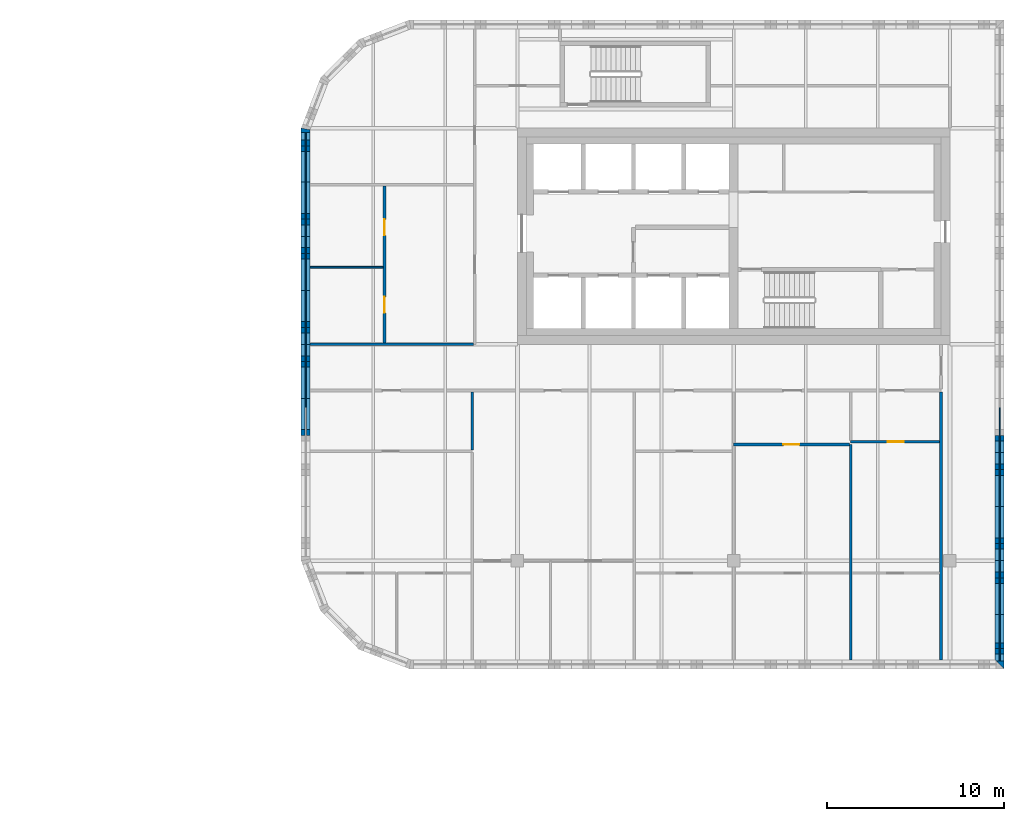
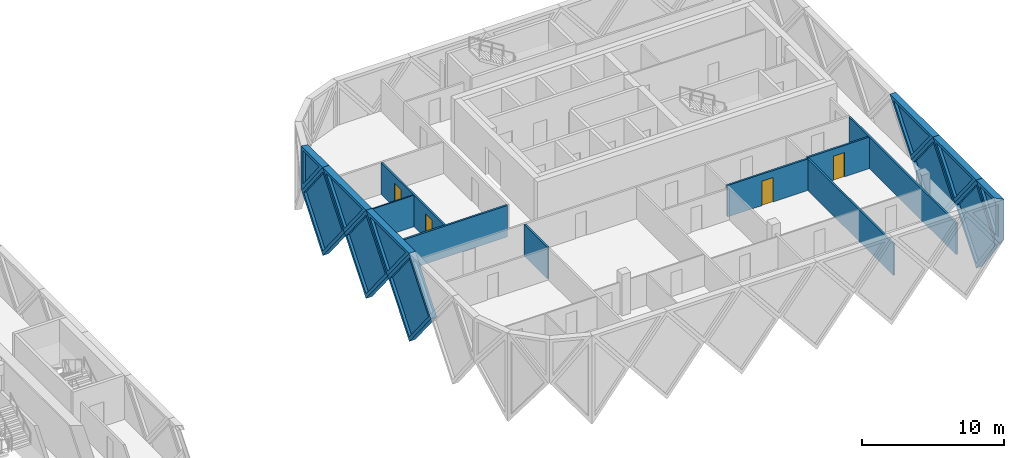
# One storey, part 17 of 24: 19 walls, 11 plates, 4 doors, 15 openings.
"""IFC4 building model written with IfcOpenShell, lengths in metres."""

from ifc_helpers import new_model, si_unit, direction, frame, frame_2d, origin, place, context, subcontext, project, spatial, polyline, rectangle, outline, extrude, faceted_brep, source, transform, mapped, material, layer, layer_set, type_object, element, fill, save


model = new_model("IFC4")

# Units and contexts
model_context = context("Model", 3, precision=1e-05, world=origin(), true_north=direction((0.0, 1.0)))
body_context = subcontext(model_context, "Body", "Model", "MODEL_VIEW")
ifc_project = project(units=[si_unit("LENGTHUNIT", "METRE"), si_unit("AREAUNIT", "SQUARE_METRE"), si_unit("VOLUMEUNIT", "CUBIC_METRE"), si_unit("PLANEANGLEUNIT", "RADIAN"), si_unit("MASSUNIT", "GRAM", prefix="KILO")], contexts=[model_context])

# Site, building, storey
site_placement = place(None, origin())
site = spatial("IfcSite", under=ifc_project, at=site_placement, CompositionType="ELEMENT")
building_placement = place(site_placement, origin())
building = spatial("IfcBuilding", under=site, at=building_placement, Name="Tessera Gate Towers", CompositionType="ELEMENT")
storey_placement = place(building_placement, frame((0.0, 0.0, 102.800048828125)))
storey = spatial("IfcBuildingStorey", under=building, at=storey_placement, Name="L25", CompositionType="ELEMENT", Elevation=102.800048828125)

# Walls
ifc_material_1 = material(Name="Gypsum board on steel studs, mineral wool", Category="steel")
ifc_layer_1 = layer(ifc_material_1, 0.14990234375)
ifc_layer_set_1 = layer_set([ifc_layer_1], Name="CORRIDOR WALL 150")
wall_type_1 = type_object("IfcWallType", Name="CORRIDOR WALL 150", PredefinedType="PARTITIONING", material=ifc_layer_set_1)
wall_1_placement = place(storey_placement, frame((85.89990234375, 36.60009765625, 0.0), z_axis=(0.0, 0.0, 1.0), x_axis=(1.0, 0.0, 0.0)))
element("IfcWall", 1, at=wall_1_placement, inside=storey, type_object=wall_type_1, Name="T2-L25-PW-026", PredefinedType="PARTITIONING", context=body_context, shape_type="SweptSolid", body=[
    extrude(rectangle(XDim=9.22412109375, YDim=0.14990234375, at=frame_2d((4.612060546875, 0.0))), origin(), (0.0, 0.0, 1.0), 2.71484375),
])
ifc_material_2 = material(Name="Gypsum board on steel studs", Category="steel")
ifc_layer_2 = layer(ifc_material_2, 0.10009765625)
ifc_layer_set_2 = layer_set([ifc_layer_2], Name="PARTITION 100")
wall_type_2 = type_object("IfcWallType", Name="PARTITION 100", PredefinedType="PARTITIONING", material=ifc_layer_set_2)
wall_2_placement = place(storey_placement, frame((85.89990234375, 40.947998046875, 0.0), z_axis=(0.0, 0.0, 1.0), x_axis=(1.0, 0.0, 0.0)))
element("IfcWall", 2, at=wall_2_placement, inside=storey, type_object=wall_type_2, Name="T2-L25-PW-029", PredefinedType="PARTITIONING", context=body_context, shape_type="SweptSolid", body=[
    extrude(rectangle(XDim=4.1240234375, YDim=0.10009765625, at=frame_2d((2.06201171875, 0.0))), origin(), (0.0, 0.0, 1.0), 2.71484375),
])
ifc_material_3 = material(Name="Gypsum board on steel studs, mineral wool", Category="steel")
ifc_layer_3 = layer(ifc_material_3, 0.14990234375)
ifc_layer_set_3 = layer_set([ifc_layer_3], Name="TENANCY WALL 150")
wall_type_3 = type_object("IfcWallType", Name="TENANCY WALL 150", PredefinedType="PARTITIONING", material=ifc_layer_set_3)
wall_3_placement = place(storey_placement, frame((116.39990234375, 18.800048828125, 0.0), z_axis=(0.0, 0.0, 1.0), x_axis=(0.0, 1.0, 0.0)))
element("IfcWall", 3, at=wall_3_placement, inside=storey, type_object=wall_type_3, Name="T2-L25-PW-005", PredefinedType="PARTITIONING", context=body_context, shape_type="SweptSolid", body=[
    extrude(rectangle(XDim=12.14990234375, YDim=0.14990234375, at=frame_2d((6.074951171875, 0.0))), origin(), (0.0, 0.0, 1.0), 2.71484375),
])
wall_4_placement = place(storey_placement, frame((121.5, 18.800048828125, 0.0), z_axis=(0.0, 0.0, 1.0), x_axis=(0.0, 1.0, 0.0)))
element("IfcWall", 4, at=wall_4_placement, inside=storey, type_object=wall_type_3, Name="T2-L25-PW-006", PredefinedType="PARTITIONING", context=body_context, shape_type="SweptSolid", body=[
    extrude(rectangle(XDim=15.1240234375, YDim=0.14990234375, at=frame_2d((7.56201171875, 0.0))), origin(), (0.0, 0.0, 1.0), 2.71484375),
])
wall_5_placement = place(storey_placement, frame((95.050048828125, 30.65087890625, 0.0), z_axis=(0.0, 0.0, 1.0), x_axis=(0.0, 1.0, 0.0)))
element("IfcWall", 5, at=wall_5_placement, inside=storey, type_object=wall_type_3, Name="T2-L25-PW-019", PredefinedType="PARTITIONING", context=body_context, shape_type="SweptSolid", body=[
    extrude(rectangle(XDim=3.273193359375, YDim=0.14990234375, at=frame_2d((1.63671875, 0.0))), origin(), (0.0, 0.0, 1.0), 2.71484375),
])

# Wall, opening, door
wall_6_placement = place(storey_placement, frame((116.323974609375, 30.949951171875, 0.0), z_axis=(0.0, 0.0, 1.0), x_axis=(-1.0, 0.0, 0.0)))
wall_6 = element("IfcWall", 6, at=wall_6_placement, inside=storey, type_object=wall_type_3, Name="T2-L25-PW-020", PredefinedType="PARTITIONING", context=body_context, shape_type="SweptSolid", body=[
    extrude(rectangle(XDim=6.52392578125, YDim=0.14990234375, at=frame_2d((3.261962890625, 0.0))), origin(), (0.0, 0.0, 1.0), 2.71484375),
])
shared_shape_1 = source(origin(), body_context, "Body", "SweptSolid", [
    extrude(rectangle(XDim=0.89990234375, YDim=2.10009765625, at=frame_2d((0.449951171875, 1.050048828125))), frame((0.0, 0.0849609375, 0.0), z_axis=(0.0, -1.0, 0.0), x_axis=(1.0, 0.0, 0.0)), (0.0, 0.0, 1.0), 0.169921875),
])
opening_1_placement = place(wall_6_placement, frame((2.823974609375, 0.0, 0.0)))
opening_1 = element("IfcOpeningElement", 7, at=opening_1_placement, cuts=wall_6, Name="Opening D190-B10-12", PredefinedType="OPENING", context=body_context, shape_type="MappedRepresentation", body=[
    mapped(shared_shape_1, transform((0.0, 0.0, 0.0), scale=1.0)),
])
ifc_material_4 = material(Name="Timber door leaf in steel frame", Category="steel")
door_type = type_object("IfcDoorType", Name="INTERNAL DOOR 900 NOT RATED", OperationType="NOTDEFINED", PredefinedType="DOOR", material=ifc_material_4)
shared_shape_2 = source(origin(), body_context, "Body", "SweptSolid", [
    extrude(rectangle(XDim=0.89990234375, YDim=2.10009765625, at=frame_2d((0.449951171875, 1.050048828125))), frame((0.0, 0.02490234375, 0.0), z_axis=(0.0, -1.0, 0.0), x_axis=(1.0, 0.0, 0.0)), (0.0, 0.0, 1.0), 0.050048828125),
])
door_1_placement = place(opening_1_placement, origin())
door_1 = element("IfcDoor", 8, at=door_1_placement, inside=storey, type_object=door_type, Name="T2-L25-PD-016", OperationType="SINGLE_SWING_RIGHT", OverallHeight=2.10009765625, OverallWidth=0.89990234375, PredefinedType="DOOR", context=body_context, shape_type="MappedRepresentation", body=[
    mapped(shared_shape_2, transform((0.0, 0.0, 0.0), scale=1.0)),
])
fill(opening_1, door_1)

wall_7_placement = place(storey_placement, frame((121.424072265625, 31.10009765625, 0.0), z_axis=(0.0, 0.0, 1.0), x_axis=(-1.0, 0.0, 0.0)))
wall_7 = element("IfcWall", 9, at=wall_7_placement, inside=storey, type_object=wall_type_3, Name="T2-L25-PW-022", PredefinedType="PARTITIONING", context=body_context, shape_type="SweptSolid", body=[
    extrude(rectangle(XDim=5.024169921875, YDim=0.14990234375, at=frame_2d((2.51220703125, 0.0))), origin(), (0.0, 0.0, 1.0), 2.71484375),
])
opening_2_placement = place(wall_7_placement, frame((2.02392578125, 0.0, 0.0)))
opening_2 = element("IfcOpeningElement", 10, at=opening_2_placement, cuts=wall_7, Name="Opening D190-B10-08", PredefinedType="OPENING", context=body_context, shape_type="MappedRepresentation", body=[
    mapped(shared_shape_1, transform((0.0, 0.0, 0.0), scale=1.0)),
])
door_2_placement = place(opening_2_placement, origin())
door_2 = element("IfcDoor", 11, at=door_2_placement, inside=storey, type_object=door_type, Name="T2-L25-PD-009", OperationType="SINGLE_SWING_RIGHT", OverallHeight=2.10009765625, OverallWidth=0.89990234375, PredefinedType="DOOR", context=body_context, shape_type="MappedRepresentation", body=[
    mapped(shared_shape_2, transform((0.0, 0.0, 0.0), scale=1.0)),
])
fill(opening_2, door_2)

# Wall, openings, doors
wall_8_placement = place(storey_placement, frame((90.10009765625, 36.676025390625, 0.0), z_axis=(0.0, 0.0, 1.0), x_axis=(0.0, 1.0, 0.0)))
wall_8 = element("IfcWall", 12, at=wall_8_placement, inside=storey, type_object=wall_type_3, Name="T2-L25-PW-028", PredefinedType="PARTITIONING", context=body_context, shape_type="SweptSolid", body=[
    extrude(rectangle(XDim=8.847900390625, YDim=0.14990234375, at=frame_2d((4.423828125, 0.0))), origin(), (0.0, 0.0, 1.0), 2.71484375),
])
opening_3_placement = place(wall_8_placement, frame((1.699951171875, 0.0, 0.0)))
opening_3 = element("IfcOpeningElement", 13, at=opening_3_placement, cuts=wall_8, Name="Opening D190-B10-03", PredefinedType="OPENING", context=body_context, shape_type="MappedRepresentation", body=[
    mapped(shared_shape_1, transform((0.0, 0.0, 0.0), scale=1.0)),
])
opening_4_placement = place(wall_8_placement, frame((6.07177734375, 0.0, 0.0)))
opening_4 = element("IfcOpeningElement", 14, at=opening_4_placement, cuts=wall_8, Name="Opening D190-B10-05", PredefinedType="OPENING", context=body_context, shape_type="MappedRepresentation", body=[
    mapped(shared_shape_1, transform((0.0, 0.0, 0.0), scale=1.0)),
])
door_3_placement = place(opening_3_placement, origin())
door_3 = element("IfcDoor", 15, at=door_3_placement, inside=storey, type_object=door_type, Name="T2-L25-PD-003", OperationType="SINGLE_SWING_LEFT", OverallHeight=2.10009765625, OverallWidth=0.89990234375, PredefinedType="DOOR", context=body_context, shape_type="MappedRepresentation", body=[
    mapped(shared_shape_2, transform((0.0, 0.0, 0.0), scale=1.0)),
])
fill(opening_3, door_3)
door_4_placement = place(opening_4_placement, origin())
door_4 = element("IfcDoor", 16, at=door_4_placement, inside=storey, type_object=door_type, Name="T2-L25-PD-005", OperationType="SINGLE_SWING_LEFT", OverallHeight=2.10009765625, OverallWidth=0.89990234375, PredefinedType="DOOR", context=body_context, shape_type="MappedRepresentation", body=[
    mapped(shared_shape_2, transform((0.0, 0.0, 0.0), scale=1.0)),
])
fill(opening_4, door_4)

# Wall, opening, plate
ifc_material_5 = material(Name="Precast concrete C60/75 white", Category="concrete")
ifc_layer_4 = layer(ifc_material_5, 0.5)
ifc_layer_set_4 = layer_set([ifc_layer_4], Name="TS1 tessera")
wall_type_4 = type_object("IfcWallType", Name="TS1 tessera", PredefinedType="SOLIDWALL", material=ifc_layer_set_4)
shared_shape_3 = source(origin(), body_context, "Body", "Brep", [
    faceted_brep([(3.00341796875, -0.25, 0.0), (6.053466796875, -0.25, 3.800048828125), (3.00341796875, -0.25, 7.60009765625), (0.0, -0.25, 3.800048828125), (0.046630859375, 0.25, 3.85888671875), (3.00341796875, 0.25, 7.60009765625), (6.053466796875, 0.25, 3.800048828125), (3.00341796875, 0.25, 0.0), (0.046630859375, 0.25, 3.7412109375), (0.0, 0.0, 3.800048828125)], [[[0, 1, 2, 3]], [[4, 5, 6, 7, 8]], [[7, 6, 1, 0]], [[6, 5, 2, 1]], [[5, 4, 9, 3, 2]], [[8, 7, 0, 3, 9]], [[8, 9, 4]]]),
])
wall_9_placement = place(storey_placement, frame((85.64990234375, 48.75341796875, -3.800048828125), z_axis=(0.0, 0.0, 1.0), x_axis=(0.0, -1.0, 0.0)))
wall_9 = element("IfcWall", 17, at=wall_9_placement, inside=storey, type_object=wall_type_4, Name="Precast tessera T2 TS1-0322", PredefinedType="SOLIDWALL", context=body_context, shape_type="MappedRepresentation", body=[
    mapped(shared_shape_3, transform((0.0, 0.0, 0.0), scale=1.0)),
])
shared_shape_4 = source(origin(), body_context, "Body", "SweptSolid", [
    extrude(outline(polyline([(3.0048828125, 0.4013671875), (5.73291015625, 3.800048828125), (3.0048828125, 7.19873046875), (0.318603515625, 3.800048828125), (3.0048828125, 0.4013671875)])), frame((0.0, 0.260009765625, 0.0), z_axis=(0.0, -1.0, 0.0), x_axis=(1.0, 0.0, 0.0)), (0.0, 0.0, 1.0), 0.52001953125),
])
opening_5_placement = place(wall_9_placement, origin())
opening_5 = element("IfcOpeningElement", 18, at=opening_5_placement, cuts=wall_9, Name="Opening T2-PL2-0596", PredefinedType="OPENING", context=body_context, shape_type="MappedRepresentation", body=[
    mapped(shared_shape_4, transform((0.0, 0.0, 0.0), scale=1.0)),
])
ifc_material_6 = material(Name="Low-e laminated glass", Category="glass")
ifc_layer_5 = layer(ifc_material_6, 0.06005859375)
ifc_layer_set_5 = layer_set([ifc_layer_5], Name="PL2 rhombic pane")
plate_type_1 = type_object("IfcPlateType", Name="PL2 rhombic pane", PredefinedType="SHEET", material=ifc_layer_set_5)
shared_shape_5 = source(origin(), body_context, "Body", "SweptSolid", [
    extrude(outline(polyline([(3.0048828125, 0.4013671875), (5.73291015625, 3.800048828125), (3.0048828125, 7.19873046875), (0.318603515625, 3.800048828125), (3.0048828125, 0.4013671875)])), frame((0.0, 0.030029296875, 0.0), z_axis=(0.0, -1.0, 0.0), x_axis=(1.0, 0.0, 0.0)), (0.0, 0.0, 1.0), 0.06005859375),
])
plate_1_placement = place(opening_5_placement, origin())
plate_1 = element("IfcPlate", 19, at=plate_1_placement, inside=storey, type_object=plate_type_1, Name="Glass pane T2 PL2-0596", PredefinedType="SHEET", context=body_context, shape_type="MappedRepresentation", body=[
    mapped(shared_shape_5, transform((0.0, 0.0, 0.0), scale=1.0)),
])
fill(opening_5, plate_1)

shared_shape_6 = source(origin(), body_context, "Body", "Brep", [
    faceted_brep([(3.050048828125, -0.25, 0.0), (6.099853515625, -0.25, 3.7998046875), (6.099853515625, -0.25, 3.80029296875), (3.050048828125, -0.25, 7.60009765625), (0.0, -0.25, 3.800048828125), (0.0, 0.25, 3.800048828125), (3.050048828125, 0.25, 7.60009765625), (6.099853515625, 0.25, 3.80029296875), (6.099853515625, 0.25, 3.7998046875), (3.050048828125, 0.25, 0.0)], [[[0, 1, 2, 3, 4]], [[5, 6, 7, 8, 9]], [[9, 8, 1, 0]], [[7, 6, 3, 2]], [[6, 5, 4, 3]], [[5, 9, 0, 4]], [[1, 8, 7, 2]]]),
])
wall_10_placement = place(storey_placement, frame((85.64990234375, 42.699951171875, -3.800048828125), z_axis=(0.0, 0.0, 1.0), x_axis=(0.0, -1.0, 0.0)))
wall_10 = element("IfcWall", 20, at=wall_10_placement, inside=storey, type_object=wall_type_4, Name="Precast tessera T2 TS1-0323", PredefinedType="SOLIDWALL", context=body_context, shape_type="MappedRepresentation", body=[
    mapped(shared_shape_6, transform((0.0, 0.0, 0.0), scale=1.0)),
])
shared_shape_7 = source(origin(), body_context, "Body", "SweptSolid", [
    extrude(outline(polyline([(3.050048828125, 0.3994140625), (5.779541015625, 3.800048828125), (3.050048828125, 7.20068359375), (0.320556640625, 3.800048828125), (3.050048828125, 0.3994140625)])), frame((0.0, 0.260009765625, 0.0), z_axis=(0.0, -1.0, 0.0), x_axis=(1.0, 0.0, 0.0)), (0.0, 0.0, 1.0), 0.52001953125),
])
opening_6_placement = place(wall_10_placement, origin())
opening_6 = element("IfcOpeningElement", 21, at=opening_6_placement, cuts=wall_10, Name="Opening T2-PL2-0597", PredefinedType="OPENING", context=body_context, shape_type="MappedRepresentation", body=[
    mapped(shared_shape_7, transform((0.0, 0.0, 0.0), scale=1.0)),
])
shared_shape_8 = source(origin(), body_context, "Body", "SweptSolid", [
    extrude(outline(polyline([(3.050048828125, 0.3994140625), (5.779541015625, 3.800048828125), (3.050048828125, 7.20068359375), (0.320556640625, 3.800048828125), (3.050048828125, 0.3994140625)])), frame((0.0, 0.030029296875, 0.0), z_axis=(0.0, -1.0, 0.0), x_axis=(1.0, 0.0, 0.0)), (0.0, 0.0, 1.0), 0.06005859375),
])
plate_2_placement = place(opening_6_placement, origin())
plate_2 = element("IfcPlate", 22, at=plate_2_placement, inside=storey, type_object=plate_type_1, Name="Glass pane T2 PL2-0597", PredefinedType="SHEET", context=body_context, shape_type="MappedRepresentation", body=[
    mapped(shared_shape_8, transform((0.0, 0.0, 0.0), scale=1.0)),
])
fill(opening_6, plate_2)

shared_shape_9 = source(origin(), body_context, "Body", "SweptSolid", [
    extrude(outline(polyline([(3.050048828125, 0.0), (6.10009765625, 3.800048828125), (3.050048828125, 7.60009765625), (0.0, 3.800048828125), (3.050048828125, 0.0)])), frame((0.0, 0.25, 0.0), z_axis=(0.0, -1.0, 0.0), x_axis=(1.0, 0.0, 0.0)), (0.0, 0.0, 1.0), 0.5),
])
wall_11_placement = place(storey_placement, frame((124.800048828125, 24.39990234375, -3.800048828125), z_axis=(0.0, 0.0, 1.0), x_axis=(0.0, 1.0, 0.0)))
wall_11 = element("IfcWall", 23, at=wall_11_placement, inside=storey, type_object=wall_type_4, Name="Precast tessera T2 TS1-0312", PredefinedType="SOLIDWALL", context=body_context, shape_type="MappedRepresentation", body=[
    mapped(shared_shape_9, transform((0.0, 0.0, 0.0), scale=1.0)),
])
opening_7_placement = place(wall_11_placement, origin())
opening_7 = element("IfcOpeningElement", 24, at=opening_7_placement, cuts=wall_11, Name="Opening T2-PL2-0582", PredefinedType="OPENING", context=body_context, shape_type="MappedRepresentation", body=[
    mapped(shared_shape_7, transform((0.0, 0.0, 0.0), scale=1.0)),
])
plate_3_placement = place(opening_7_placement, origin())
plate_3 = element("IfcPlate", 25, at=plate_3_placement, inside=storey, type_object=plate_type_1, Name="Glass pane T2 PL2-0582", PredefinedType="SHEET", context=body_context, shape_type="MappedRepresentation", body=[
    mapped(shared_shape_8, transform((0.0, 0.0, 0.0), scale=1.0)),
])
fill(opening_7, plate_3)

wall_12_placement = place(storey_placement, frame((85.64990234375, 36.60009765625, -3.800048828125), z_axis=(0.0, 0.0, 1.0), x_axis=(0.0, -1.0, 0.0)))
wall_12 = element("IfcWall", 26, at=wall_12_placement, inside=storey, type_object=wall_type_4, Name="Precast tessera T2 TS1-0324", PredefinedType="SOLIDWALL", context=body_context, shape_type="MappedRepresentation", body=[
    mapped(shared_shape_9, transform((0.0, 0.0, 0.0), scale=1.0)),
])
opening_8_placement = place(wall_12_placement, origin())
opening_8 = element("IfcOpeningElement", 27, at=opening_8_placement, cuts=wall_12, Name="Opening T2-PL2-0598", PredefinedType="OPENING", context=body_context, shape_type="MappedRepresentation", body=[
    mapped(shared_shape_7, transform((0.0, 0.0, 0.0), scale=1.0)),
])
plate_4_placement = place(opening_8_placement, origin())
plate_4 = element("IfcPlate", 28, at=plate_4_placement, inside=storey, type_object=plate_type_1, Name="Glass pane T2 PL2-0598", PredefinedType="SHEET", context=body_context, shape_type="MappedRepresentation", body=[
    mapped(shared_shape_8, transform((0.0, 0.0, 0.0), scale=1.0)),
])
fill(opening_8, plate_4)

ifc_material_7 = material(Name="Precast concrete C60/75 white", Category="concrete")
ifc_layer_6 = layer(ifc_material_7, 0.5)
ifc_layer_set_6 = layer_set([ifc_layer_6], Name="TS3 corner tessera")
wall_type_5 = type_object("IfcWallType", Name="TS3 corner tessera", PredefinedType="SOLIDWALL", material=ifc_layer_set_6)
shared_shape_10 = source(origin(), body_context, "Body", "Brep", [
    faceted_brep([(0.046630859375, -0.25, 0.0), (3.050048828125, -0.25, 3.800048828125), (0.0, -0.25, 3.800048828125), (0.0, -0.25, 0.06005859375), (0.09326171875, 0.25, 3.800048828125), (3.050048828125, 0.25, 3.800048828125), (0.09326171875, 0.25, 0.058837890625), (0.046630859375, 0.0, 0.0)], [[[0, 1, 2, 3]], [[4, 5, 6]], [[6, 5, 1, 0, 7]], [[5, 4, 2, 1]], [[7, 0, 3]], [[6, 7, 3, 2, 4]]]),
])
wall_13_placement = place(storey_placement, frame((85.64990234375, 48.800048828125, 0.0), z_axis=(0.0, 0.0, 1.0), x_axis=(0.0, -1.0, 0.0)))
wall_13 = element("IfcWall", 29, at=wall_13_placement, inside=storey, type_object=wall_type_5, Name="Precast corner tessera T2 TS3-0388", PredefinedType="SOLIDWALL", context=body_context, shape_type="MappedRepresentation", body=[
    mapped(shared_shape_10, transform((0.0, 0.0, 0.0), scale=1.0)),
])
shared_shape_11 = source(origin(), body_context, "Body", "SweptSolid", [
    extrude(outline(polyline([(0.24658203125, 0.65625), (2.533935546875, 3.550048828125), (0.24658203125, 3.550048828125), (0.24658203125, 0.65625)])), frame((0.0, 0.260009765625, 0.0), z_axis=(0.0, -1.0, 0.0), x_axis=(1.0, 0.0, 0.0)), (0.0, 0.0, 1.0), 0.52001953125),
])
opening_9_placement = place(wall_13_placement, origin())
opening_9 = element("IfcOpeningElement", 30, at=opening_9_placement, cuts=wall_13, Name="Opening T2-PL1-0254", PredefinedType="OPENING", context=body_context, shape_type="MappedRepresentation", body=[
    mapped(shared_shape_11, transform((0.0, 0.0, 0.0), scale=1.0)),
])
ifc_material_8 = material(Name="Low-e laminated glass", Category="glass")
ifc_layer_7 = layer(ifc_material_8, 0.06005859375)
ifc_layer_set_7 = layer_set([ifc_layer_7], Name="PL1 triangular pane")
plate_type_2 = type_object("IfcPlateType", Name="PL1 triangular pane", PredefinedType="SHEET", material=ifc_layer_set_7)
shared_shape_12 = source(origin(), body_context, "Body", "SweptSolid", [
    extrude(outline(polyline([(0.24658203125, 0.65625), (2.533935546875, 3.550048828125), (0.24658203125, 3.550048828125), (0.24658203125, 0.65625)])), frame((0.0, 0.030029296875, 0.0), z_axis=(0.0, -1.0, 0.0), x_axis=(1.0, 0.0, 0.0)), (0.0, 0.0, 1.0), 0.06005859375),
])
plate_5_placement = place(opening_9_placement, origin())
plate_5 = element("IfcPlate", 31, at=plate_5_placement, inside=storey, type_object=plate_type_2, Name="Glass pane T2 PL1-0254", PredefinedType="SHEET", context=body_context, shape_type="MappedRepresentation", body=[
    mapped(shared_shape_12, transform((0.0, 0.0, 0.0), scale=1.0)),
])
fill(opening_9, plate_5)

ifc_material_9 = material(Name="Precast concrete C60/75 white", Category="concrete")
ifc_layer_8 = layer(ifc_material_9, 0.5)
ifc_layer_set_8 = layer_set([ifc_layer_8], Name="TS2 half tessera")
wall_type_6 = type_object("IfcWallType", Name="TS2 half tessera", PredefinedType="SOLIDWALL", material=ifc_layer_set_8)
shared_shape_13 = source(origin(), body_context, "Body", "Brep", [
    faceted_brep([(3.050048828125, -0.25, 0.0), (6.099853515625, -0.25, 3.7998046875), (6.099853515625, -0.25, 3.800048828125), (0.0, -0.25, 3.800048828125), (0.0, 0.25, 3.800048828125), (6.099853515625, 0.25, 3.800048828125), (6.099853515625, 0.25, 3.7998046875), (3.050048828125, 0.25, 0.0)], [[[0, 1, 2, 3]], [[4, 5, 6, 7]], [[7, 6, 1, 0]], [[5, 4, 3, 2]], [[4, 7, 0, 3]], [[1, 6, 5, 2]]]),
])
wall_14_placement = place(storey_placement, frame((124.800048828125, 21.35009765625, 0.0), z_axis=(0.0, 0.0, 1.0), x_axis=(0.0, 1.0, 0.0)))
wall_14 = element("IfcWall", 32, at=wall_14_placement, inside=storey, type_object=wall_type_6, Name="Precast half tessera T2 TS2-0133", PredefinedType="SOLIDWALL", context=body_context, shape_type="MappedRepresentation", body=[
    mapped(shared_shape_13, transform((0.0, 0.0, 0.0), scale=1.0)),
])
shared_shape_14 = source(origin(), body_context, "Body", "SweptSolid", [
    extrude(outline(polyline([(3.050048828125, 0.3994140625), (5.578857421875, 3.550048828125), (0.521240234375, 3.550048828125), (3.050048828125, 0.3994140625)])), frame((0.0, 0.260009765625, 0.0), z_axis=(0.0, -1.0, 0.0), x_axis=(1.0, 0.0, 0.0)), (0.0, 0.0, 1.0), 0.52001953125),
])
opening_10_placement = place(wall_14_placement, origin())
opening_10 = element("IfcOpeningElement", 33, at=opening_10_placement, cuts=wall_14, Name="Opening T2-PL1-0239", PredefinedType="OPENING", context=body_context, shape_type="MappedRepresentation", body=[
    mapped(shared_shape_14, transform((0.0, 0.0, 0.0), scale=1.0)),
])
shared_shape_15 = source(origin(), body_context, "Body", "SweptSolid", [
    extrude(outline(polyline([(3.050048828125, 0.3994140625), (5.578857421875, 3.550048828125), (0.521240234375, 3.550048828125), (3.050048828125, 0.3994140625)])), frame((0.0, 0.030029296875, 0.0), z_axis=(0.0, -1.0, 0.0), x_axis=(1.0, 0.0, 0.0)), (0.0, 0.0, 1.0), 0.06005859375),
])
plate_6_placement = place(opening_10_placement, origin())
plate_6 = element("IfcPlate", 34, at=plate_6_placement, inside=storey, type_object=plate_type_2, Name="Glass pane T2 PL1-0239", PredefinedType="SHEET", context=body_context, shape_type="MappedRepresentation", body=[
    mapped(shared_shape_15, transform((0.0, 0.0, 0.0), scale=1.0)),
])
fill(opening_10, plate_6)

wall_15_placement = place(storey_placement, frame((85.64990234375, 39.64990234375, 0.0), z_axis=(0.0, 0.0, 1.0), x_axis=(0.0, -1.0, 0.0)))
wall_15 = element("IfcWall", 35, at=wall_15_placement, inside=storey, type_object=wall_type_6, Name="Precast half tessera T2 TS2-0144", PredefinedType="SOLIDWALL", context=body_context, shape_type="MappedRepresentation", body=[
    mapped(shared_shape_13, transform((0.0, 0.0, 0.0), scale=1.0)),
])
opening_11_placement = place(wall_15_placement, origin())
opening_11 = element("IfcOpeningElement", 36, at=opening_11_placement, cuts=wall_15, Name="Opening T2-PL1-0256", PredefinedType="OPENING", context=body_context, shape_type="MappedRepresentation", body=[
    mapped(shared_shape_14, transform((0.0, 0.0, 0.0), scale=1.0)),
])
plate_7_placement = place(opening_11_placement, origin())
plate_7 = element("IfcPlate", 37, at=plate_7_placement, inside=storey, type_object=plate_type_2, Name="Glass pane T2 PL1-0256", PredefinedType="SHEET", context=body_context, shape_type="MappedRepresentation", body=[
    mapped(shared_shape_15, transform((0.0, 0.0, 0.0), scale=1.0)),
])
fill(opening_11, plate_7)

shared_shape_16 = source(origin(), body_context, "Body", "SweptSolid", [
    extrude(outline(polyline([(3.050048828125, 0.0), (6.10009765625, 3.800048828125), (0.0, 3.800048828125), (3.050048828125, 0.0)])), frame((0.0, 0.25, 0.0), z_axis=(0.0, -1.0, 0.0), x_axis=(1.0, 0.0, 0.0)), (0.0, 0.0, 1.0), 0.5),
])
wall_16_placement = place(storey_placement, frame((124.800048828125, 27.449951171875, 0.0), z_axis=(0.0, 0.0, 1.0), x_axis=(0.0, 1.0, 0.0)))
wall_16 = element("IfcWall", 38, at=wall_16_placement, inside=storey, type_object=wall_type_6, Name="Precast half tessera T2 TS2-0134", PredefinedType="SOLIDWALL", context=body_context, shape_type="MappedRepresentation", body=[
    mapped(shared_shape_16, transform((0.0, 0.0, 0.0), scale=1.0)),
])
opening_12_placement = place(wall_16_placement, origin())
opening_12 = element("IfcOpeningElement", 39, at=opening_12_placement, cuts=wall_16, Name="Opening T2-PL1-0240", PredefinedType="OPENING", context=body_context, shape_type="MappedRepresentation", body=[
    mapped(shared_shape_14, transform((0.0, 0.0, 0.0), scale=1.0)),
])
plate_8_placement = place(opening_12_placement, origin())
plate_8 = element("IfcPlate", 40, at=plate_8_placement, inside=storey, type_object=plate_type_2, Name="Glass pane T2 PL1-0240", PredefinedType="SHEET", context=body_context, shape_type="MappedRepresentation", body=[
    mapped(shared_shape_15, transform((0.0, 0.0, 0.0), scale=1.0)),
])
fill(opening_12, plate_8)

wall_17_placement = place(storey_placement, frame((85.64990234375, 45.75, 0.0), z_axis=(0.0, 0.0, 1.0), x_axis=(0.0, -1.0, 0.0)))
wall_17 = element("IfcWall", 41, at=wall_17_placement, inside=storey, type_object=wall_type_6, Name="Precast half tessera T2 TS2-0143", PredefinedType="SOLIDWALL", context=body_context, shape_type="MappedRepresentation", body=[
    mapped(shared_shape_16, transform((0.0, 0.0, 0.0), scale=1.0)),
])
opening_13_placement = place(wall_17_placement, origin())
opening_13 = element("IfcOpeningElement", 42, at=opening_13_placement, cuts=wall_17, Name="Opening T2-PL1-0255", PredefinedType="OPENING", context=body_context, shape_type="MappedRepresentation", body=[
    mapped(shared_shape_14, transform((0.0, 0.0, 0.0), scale=1.0)),
])
plate_9_placement = place(opening_13_placement, origin())
plate_9 = element("IfcPlate", 43, at=plate_9_placement, inside=storey, type_object=plate_type_2, Name="Glass pane T2 PL1-0255", PredefinedType="SHEET", context=body_context, shape_type="MappedRepresentation", body=[
    mapped(shared_shape_15, transform((0.0, 0.0, 0.0), scale=1.0)),
])
fill(opening_13, plate_9)

shared_shape_17 = source(origin(), body_context, "Body", "Brep", [
    faceted_brep([(2.800048828125, -0.25, 0.0), (5.85009765625, -0.25, 3.800048828125), (2.800048828125, -0.25, 7.60009765625), (0.0, -0.25, 3.800048828125), (0.25, 0.25, 4.139404296875), (2.800048828125, 0.25, 7.60009765625), (5.85009765625, 0.25, 3.800048828125), (2.800048828125, 0.25, 0.0), (0.25, 0.25, 3.460693359375), (0.0, 0.0, 3.800048828125)], [[[0, 1, 2, 3]], [[4, 5, 6, 7, 8]], [[7, 6, 1, 0]], [[6, 5, 2, 1]], [[5, 4, 9, 3, 2]], [[8, 7, 0, 3, 9]], [[8, 9, 4]]]),
])
wall_18_placement = place(storey_placement, frame((124.800048828125, 18.550048828125, -3.800048828125), z_axis=(0.0, 0.0, 1.0), x_axis=(0.0, 1.0, 0.0)))
wall_18 = element("IfcWall", 44, at=wall_18_placement, inside=storey, type_object=wall_type_4, Name="Precast tessera T2 TS1-0311", PredefinedType="SOLIDWALL", context=body_context, shape_type="MappedRepresentation", body=[
    mapped(shared_shape_17, transform((0.0, 0.0, 0.0), scale=1.0)),
])
shared_shape_18 = source(origin(), body_context, "Body", "SweptSolid", [
    extrude(outline(polyline([(2.808349609375, 0.409912109375), (5.529541015625, 3.800048828125), (2.808349609375, 7.18994140625), (0.310546875, 3.800048828125), (2.808349609375, 0.409912109375)])), frame((0.0, 0.260009765625, 0.0), z_axis=(0.0, -1.0, 0.0), x_axis=(1.0, 0.0, 0.0)), (0.0, 0.0, 1.0), 0.52001953125),
])
opening_14_placement = place(wall_18_placement, origin())
opening_14 = element("IfcOpeningElement", 45, at=opening_14_placement, cuts=wall_18, Name="Opening T2-PL2-0581", PredefinedType="OPENING", context=body_context, shape_type="MappedRepresentation", body=[
    mapped(shared_shape_18, transform((0.0, 0.0, 0.0), scale=1.0)),
])
shared_shape_19 = source(origin(), body_context, "Body", "SweptSolid", [
    extrude(outline(polyline([(2.808349609375, 0.409912109375), (5.529541015625, 3.800048828125), (2.808349609375, 7.18994140625), (0.310546875, 3.800048828125), (2.808349609375, 0.409912109375)])), frame((0.0, 0.030029296875, 0.0), z_axis=(0.0, -1.0, 0.0), x_axis=(1.0, 0.0, 0.0)), (0.0, 0.0, 1.0), 0.06005859375),
])
plate_10_placement = place(opening_14_placement, origin())
plate_10 = element("IfcPlate", 46, at=plate_10_placement, inside=storey, type_object=plate_type_1, Name="Glass pane T2 PL2-0581", PredefinedType="SHEET", context=body_context, shape_type="MappedRepresentation", body=[
    mapped(shared_shape_19, transform((0.0, 0.0, 0.0), scale=1.0)),
])
fill(opening_14, plate_10)

shared_shape_20 = source(origin(), body_context, "Body", "Brep", [
    faceted_brep([(0.25, -0.25, 0.0), (3.050048828125, -0.25, 3.800048828125), (0.0, -0.25, 3.800048828125), (0.0, -0.25, 0.33935546875), (0.5, 0.25, 3.800048828125), (3.050048828125, 0.25, 3.800048828125), (0.5, 0.25, 0.33935546875), (0.25, 0.0, 0.0)], [[[0, 1, 2, 3]], [[4, 5, 6]], [[6, 5, 1, 0, 7]], [[5, 4, 2, 1]], [[7, 0, 3]], [[6, 7, 3, 2, 4]]]),
])
wall_19_placement = place(storey_placement, frame((124.800048828125, 18.300048828125, 0.0), z_axis=(0.0, 0.0, 1.0), x_axis=(0.0, 1.0, 0.0)))
wall_19 = element("IfcWall", 47, at=wall_19_placement, inside=storey, type_object=wall_type_5, Name="Precast corner tessera T2 TS3-0382", PredefinedType="SOLIDWALL", context=body_context, shape_type="MappedRepresentation", body=[
    mapped(shared_shape_20, transform((0.0, 0.0, 0.0), scale=1.0)),
])
shared_shape_21 = source(origin(), body_context, "Body", "SweptSolid", [
    extrude(outline(polyline([(0.449951171875, 0.69287109375), (2.55517578125, 3.550048828125), (0.449951171875, 3.550048828125), (0.449951171875, 0.69287109375)])), frame((0.0, 0.260009765625, 0.0), z_axis=(0.0, -1.0, 0.0), x_axis=(1.0, 0.0, 0.0)), (0.0, 0.0, 1.0), 0.52001953125),
])
opening_15_placement = place(wall_19_placement, origin())
opening_15 = element("IfcOpeningElement", 48, at=opening_15_placement, cuts=wall_19, Name="Opening T2-PL1-0238", PredefinedType="OPENING", context=body_context, shape_type="MappedRepresentation", body=[
    mapped(shared_shape_21, transform((0.0, 0.0, 0.0), scale=1.0)),
])
shared_shape_22 = source(origin(), body_context, "Body", "SweptSolid", [
    extrude(outline(polyline([(0.449951171875, 0.69287109375), (2.55517578125, 3.550048828125), (0.449951171875, 3.550048828125), (0.449951171875, 0.69287109375)])), frame((0.0, 0.030029296875, 0.0), z_axis=(0.0, -1.0, 0.0), x_axis=(1.0, 0.0, 0.0)), (0.0, 0.0, 1.0), 0.06005859375),
])
plate_11_placement = place(opening_15_placement, origin())
plate_11 = element("IfcPlate", 49, at=plate_11_placement, inside=storey, type_object=plate_type_2, Name="Glass pane T2 PL1-0238", PredefinedType="SHEET", context=body_context, shape_type="MappedRepresentation", body=[
    mapped(shared_shape_22, transform((0.0, 0.0, 0.0), scale=1.0)),
])
fill(opening_15, plate_11)

save(model, "model.ifc")
